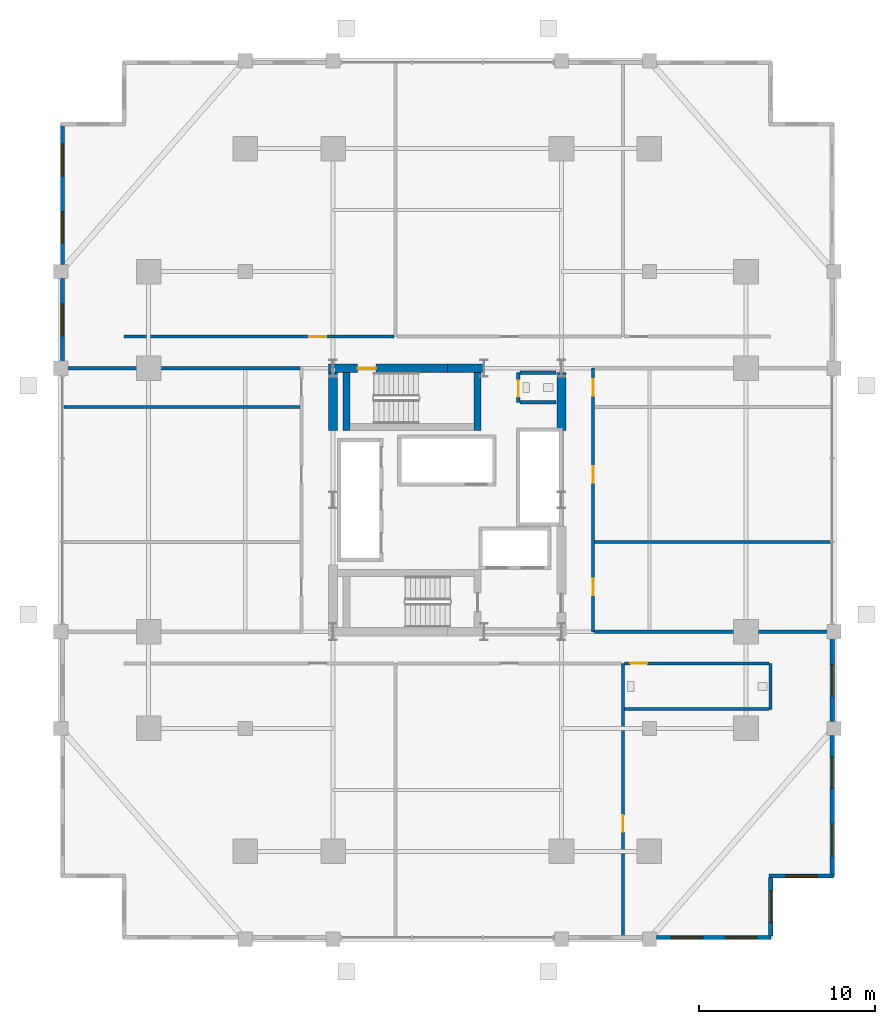
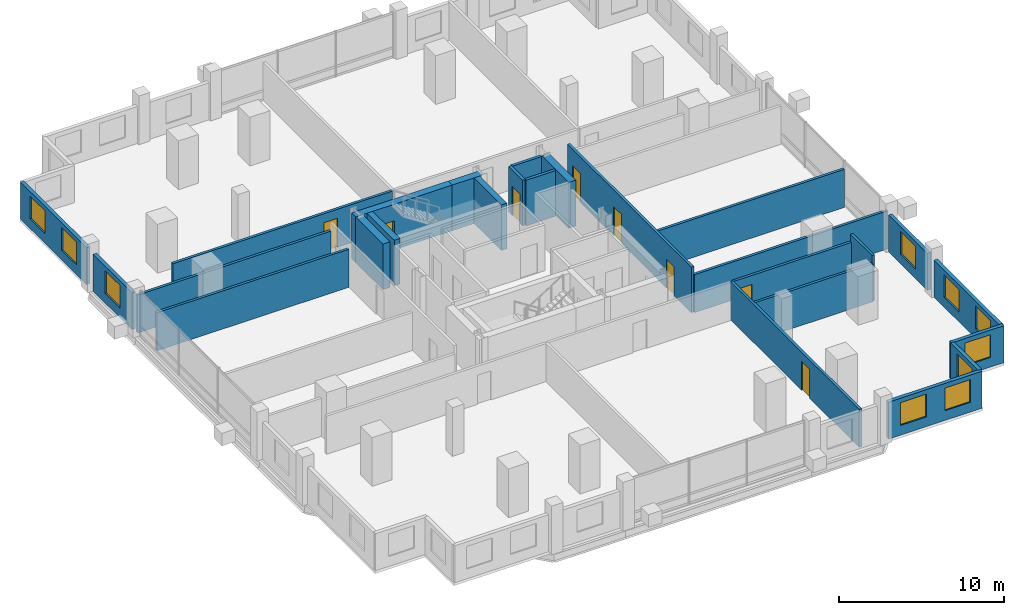
# One storey, part 18 of 21: 26 walls, 10 windows, 8 doors, 18 openings.
"""IFC4 building model written with IfcOpenShell, lengths in metres."""

from ifc_helpers import new_model, si_unit, direction, frame, frame_2d, origin, place, context, subcontext, project, spatial, rectangle, extrude, material, layer, layer_set, type_object, element, fill, save


model = new_model("IFC4")

# Units and contexts
model_context = context("Model", 3, precision=1e-05, world=origin(), true_north=direction((0.0, 1.0)))
body_context = subcontext(model_context, "Body", "Model", "MODEL_VIEW")
ifc_project = project(units=[si_unit("LENGTHUNIT", "METRE"), si_unit("AREAUNIT", "SQUARE_METRE"), si_unit("VOLUMEUNIT", "CUBIC_METRE"), si_unit("PLANEANGLEUNIT", "RADIAN"), si_unit("MASSUNIT", "GRAM", prefix="KILO")], contexts=[model_context])

# Site, building, storey
site_placement = place(None, origin())
site = spatial("IfcSite", under=ifc_project, at=site_placement, CompositionType="ELEMENT")
building_placement = place(site_placement, origin())
building = spatial("IfcBuilding", under=site, at=building_placement, Name="Barlavira Tower and Art Museum", CompositionType="ELEMENT")
storey_placement = place(building_placement, frame((0.0, 0.0, 86.39990234375)))
storey = spatial("IfcBuildingStorey", under=building, at=storey_placement, Name="L21", CompositionType="ELEMENT", Elevation=86.39990234375)

# Wall, opening, door
ifc_material_1 = material(Name="Concrete C60", Category="concrete")
ifc_layer_1 = layer(ifc_material_1, 0.5, Name="Concrete C60")
ifc_layer_set_1 = layer_set([ifc_layer_1], Name="Concrete C60")
wall_type_1 = type_object("IfcWallType", Name="Core Structural Shear Wall 500 Concrete C60", PredefinedType="SHEAR", material=ifc_layer_set_1)
wall_1_placement = place(storey_placement, frame((-6.75, 7.5, 0.0), z_axis=(0.0, 0.0, 1.0), x_axis=(1.0, 0.0, 0.0)))
wall_1 = element("IfcWall", 1, at=wall_1_placement, inside=storey, type_object=wall_type_1, Name="L21 Core Shear Wall CS-NW", PredefinedType="SHEAR", context=body_context, shape_type="SweptSolid", body=[
    extrude(rectangle(XDim=6.75, YDim=0.5, at=frame_2d((3.375, 0.0))), origin(), (0.0, 0.0, 1.0), 3.380126953125),
])
opening_1_placement = place(wall_1_placement, frame((1.64990234375, 0.0, 0.0)))
opening_1 = element("IfcOpeningElement", 2, at=opening_1_placement, cuts=wall_1, Name="Opening FD-90", PredefinedType="OPENING", context=body_context, shape_type="SweptSolid", body=[
    extrude(rectangle(XDim=1.050048828125, YDim=2.14990234375, at=frame_2d((0.52490234375, 1.074951171875))), frame((0.0, 0.260009765625, 0.0), z_axis=(0.0, -1.0, 0.0), x_axis=(1.0, 0.0, 0.0)), (0.0, 0.0, 1.0), 0.52001953125),
])
ifc_material_2 = material(Name="Brushed stainless steel", Category="steel")
door_type_1 = type_object("IfcDoorType", Name="Stair and Refuge Fire Door 1050x2150 FD90S", OperationType="NOTDEFINED", PredefinedType="DOOR", material=ifc_material_2)
door_1_placement = place(opening_1_placement, origin())
door_1 = element("IfcDoor", 3, at=door_1_placement, inside=storey, type_object=door_type_1, Name="L21 Stair ST-T2 Fire Door", OperationType="SINGLE_SWING_LEFT", OverallHeight=2.14990234375, OverallWidth=1.050048828125, PredefinedType="DOOR", context=body_context, shape_type="SweptSolid", body=[
    extrude(rectangle(XDim=1.050048828125, YDim=2.14990234375, at=frame_2d((0.52490234375, 1.074951171875))), frame((0.0, 0.02490234375, 0.0), z_axis=(0.0, -1.0, 0.0), x_axis=(1.0, 0.0, 0.0)), (0.0, 0.0, 1.0), 0.050048828125),
])
fill(opening_1, door_1)

# Walls
wall_2_placement = place(storey_placement, frame((0.0, 7.5, 0.0), z_axis=(0.0, 0.0, 1.0), x_axis=(1.0, 0.0, 0.0)))
element("IfcWall", 4, at=wall_2_placement, inside=storey, type_object=wall_type_1, Name="L21 Core Shear Wall CS-EN", PredefinedType="SHEAR", context=body_context, shape_type="SweptSolid", body=[
    extrude(rectangle(XDim=2.080078125, YDim=0.5, at=frame_2d((1.0400390625, 0.0))), origin(), (0.0, 0.0, 1.0), 3.380126953125),
])
for number, where, z_axis, x_axis, name in (
    (5, (-6.5, 3.949951171875, 0.0), (0.0, 0.0, 1.0), (0.0, 1.0, 0.0), "L21 Core Shear Wall CS-W2"),
    (6, (6.5, 3.949951171875, 0.0), (0.0, 0.0, 1.0), (0.0, 1.0, 0.0), "L21 Core Shear Wall CS-E2"),
):
    element("IfcWall", number, at=place(storey_placement, frame(where, z_axis=z_axis, x_axis=x_axis)), inside=storey, type_object=wall_type_1, Name=name, PredefinedType="SHEAR", context=body_context, shape_type="SweptSolid", body=[
        extrude(rectangle(XDim=3.300048828125, YDim=0.5, at=frame_2d((1.64990234375, 0.0))), origin(), (0.0, 0.0, 1.0), 3.380126953125),
    ])

# Wall, opening, door
ifc_material_3 = material(Name="Autoclaved aerated concrete masonry", Category="masonry")
ifc_layer_2 = layer(ifc_material_3, 0.199951171875, Name="Autoclaved aerated concrete masonry")
ifc_layer_set_2 = layer_set([ifc_layer_2], Name="Autoclaved aerated concrete masonry")
wall_type_2 = type_object("IfcWallType", Name="Fire Compartment and Shaft Wall 200", PredefinedType="SOLIDWALL", material=ifc_layer_set_2)
wall_3_placement = place(storey_placement, frame((4.050048828125, 5.550048828125, 0.0), z_axis=(0.0, 0.0, 1.0), x_axis=(0.0, 1.0, 0.0)))
wall_3 = element("IfcWall", 7, at=wall_3_placement, inside=storey, type_object=wall_type_2, Name="L21 Partition Wall 4", PredefinedType="SOLIDWALL", context=body_context, shape_type="SweptSolid", body=[
    extrude(rectangle(XDim=1.699951171875, YDim=0.199951171875, at=frame_2d((0.85009765625, 0.0))), origin(), (0.0, 0.0, 1.0), 3.380126953125),
])
opening_2_placement = place(wall_3_placement, frame((0.324951171875, 0.0, 0.0)))
opening_2 = element("IfcOpeningElement", 8, at=opening_2_placement, cuts=wall_3, Name="Opening FD-60", PredefinedType="OPENING", context=body_context, shape_type="SweptSolid", body=[
    extrude(rectangle(XDim=0.949951171875, YDim=2.14990234375, at=frame_2d((0.47509765625, 1.074951171875))), frame((0.0, 0.10986328125, 0.0), z_axis=(0.0, -1.0, 0.0), x_axis=(1.0, 0.0, 0.0)), (0.0, 0.0, 1.0), 0.219970703125),
])
door_type_2 = type_object("IfcDoorType", Name="Apartment Entrance and Riser Fire Door 950x2150 FD60S", OperationType="NOTDEFINED", PredefinedType="DOOR", material=ifc_material_2)
door_2_placement = place(opening_2_placement, origin())
door_2 = element("IfcDoor", 9, at=door_2_placement, inside=storey, type_object=door_type_2, Name="Core Accessible Washroom Door", OperationType="SINGLE_SWING_RIGHT", OverallHeight=2.14990234375, OverallWidth=0.949951171875, PredefinedType="DOOR", context=body_context, shape_type="SweptSolid", body=[
    extrude(rectangle(XDim=0.949951171875, YDim=2.14990234375, at=frame_2d((0.47509765625, 1.074951171875))), frame((0.0, 0.02490234375, 0.0), z_axis=(0.0, -1.0, 0.0), x_axis=(1.0, 0.0, 0.0)), (0.0, 0.0, 1.0), 0.050048828125),
])
fill(opening_2, door_2)

# Walls
for number, where, z_axis, x_axis, name in (
    (10, (4.1298828125, 5.550048828125, 0.0), (0.0, 0.0, 1.0), (1.0, 0.0, 0.0), "L21 Partition Wall 19"),
    (11, (4.1298828125, 7.25, 0.0), (0.0, 0.0, 1.0), (1.0, 0.0, 0.0), "L21 Partition Wall 20"),
):
    element("IfcWall", number, at=place(storey_placement, frame(where, z_axis=z_axis, x_axis=x_axis)), inside=storey, type_object=wall_type_2, Name=name, PredefinedType="SOLIDWALL", context=body_context, shape_type="SweptSolid", body=[
        extrude(rectangle(XDim=2.070068359375, YDim=0.199951171875, at=frame_2d((1.03515625, 0.0))), origin(), (0.0, 0.0, 1.0), 3.380126953125),
    ])

# Wall, openings, doors
ifc_material_4 = material(Name="Gypsum acoustic stud partition", Category="gypsum")
ifc_layer_3 = layer(ifc_material_4, 0.179931640625, Name="Gypsum acoustic stud partition")
ifc_layer_set_3 = layer_set([ifc_layer_3], Name="Gypsum acoustic stud partition")
wall_type_3 = type_object("IfcWallType", Name="Inter-Tenancy Party Partition Wall 180", PredefinedType="PARTITIONING", material=ifc_layer_set_3)
wall_4_placement = place(storey_placement, frame((8.300048828125, -7.5, 0.0), z_axis=(0.0, 0.0, 1.0), x_axis=(0.0, 1.0, 0.0)))
wall_4 = element("IfcWall", 12, at=wall_4_placement, inside=storey, type_object=wall_type_3, Name="L21 Partition Wall 5", PredefinedType="PARTITIONING", context=body_context, shape_type="SweptSolid", body=[
    extrude(rectangle(XDim=15.0, YDim=0.179931640625, at=frame_2d((7.5, 0.0))), origin(), (0.0, 0.0, 1.0), 3.380126953125),
])
opening_3_placement = place(wall_4_placement, frame((2.074951171875, 0.0, 0.0)))
opening_3 = element("IfcOpeningElement", 13, at=opening_3_placement, cuts=wall_4, Name="Opening FD-60", PredefinedType="OPENING", context=body_context, shape_type="SweptSolid", body=[
    extrude(rectangle(XDim=0.949951171875, YDim=2.14990234375, at=frame_2d((0.47509765625, 1.074951171875))), frame((0.0, 0.10009765625, 0.0), z_axis=(0.0, -1.0, 0.0), x_axis=(1.0, 0.0, 0.0)), (0.0, 0.0, 1.0), 0.199951171875),
])
opening_4_placement = place(wall_4_placement, frame((8.47509765625, 0.0, 0.0)))
opening_4 = element("IfcOpeningElement", 14, at=opening_4_placement, cuts=wall_4, Name="Opening FD-60", PredefinedType="OPENING", context=body_context, shape_type="SweptSolid", body=[
    extrude(rectangle(XDim=0.949951171875, YDim=2.14990234375, at=frame_2d((0.47509765625, 1.074951171875))), frame((0.0, 0.10009765625, 0.0), z_axis=(0.0, -1.0, 0.0), x_axis=(1.0, 0.0, 0.0)), (0.0, 0.0, 1.0), 0.199951171875),
])
opening_5_placement = place(wall_4_placement, frame((13.425048828125, 0.0, 0.0)))
opening_5 = element("IfcOpeningElement", 15, at=opening_5_placement, cuts=wall_4, Name="Opening FD-60", PredefinedType="OPENING", context=body_context, shape_type="SweptSolid", body=[
    extrude(rectangle(XDim=0.949951171875, YDim=2.14990234375, at=frame_2d((0.47509765625, 1.074951171875))), frame((0.0, 0.10009765625, 0.0), z_axis=(0.0, -1.0, 0.0), x_axis=(1.0, 0.0, 0.0)), (0.0, 0.0, 1.0), 0.199951171875),
])
door_3_placement = place(opening_3_placement, origin())
door_3 = element("IfcDoor", 16, at=door_3_placement, inside=storey, type_object=door_type_2, Name="Resident Sky Coworking Studio Door", OperationType="SINGLE_SWING_LEFT", OverallHeight=2.14990234375, OverallWidth=0.949951171875, PredefinedType="DOOR", context=body_context, shape_type="SweptSolid", body=[
    extrude(rectangle(XDim=0.949951171875, YDim=2.14990234375, at=frame_2d((0.47509765625, 1.074951171875))), frame((0.0, 0.02490234375, 0.0), z_axis=(0.0, -1.0, 0.0), x_axis=(1.0, 0.0, 0.0)), (0.0, 0.0, 1.0), 0.050048828125),
])
fill(opening_3, door_3)
door_4_placement = place(opening_4_placement, origin())
door_4 = element("IfcDoor", 17, at=door_4_placement, inside=storey, type_object=door_type_2, Name="Atlantic Horizon Boardroom Door", OperationType="SINGLE_SWING_RIGHT", OverallHeight=2.14990234375, OverallWidth=0.949951171875, PredefinedType="DOOR", context=body_context, shape_type="SweptSolid", body=[
    extrude(rectangle(XDim=0.949951171875, YDim=2.14990234375, at=frame_2d((0.47509765625, 1.074951171875))), frame((0.0, 0.02490234375, 0.0), z_axis=(0.0, -1.0, 0.0), x_axis=(1.0, 0.0, 0.0)), (0.0, 0.0, 1.0), 0.050048828125),
])
fill(opening_4, door_4)
door_5_placement = place(opening_5_placement, origin())
door_5 = element("IfcDoor", 18, at=door_5_placement, inside=storey, type_object=door_type_2, Name="Shared Coworking Espresso Pantry Door", OperationType="SINGLE_SWING_LEFT", OverallHeight=2.14990234375, OverallWidth=0.949951171875, PredefinedType="DOOR", context=body_context, shape_type="SweptSolid", body=[
    extrude(rectangle(XDim=0.949951171875, YDim=2.14990234375, at=frame_2d((0.47509765625, 1.074951171875))), frame((0.0, 0.02490234375, 0.0), z_axis=(0.0, -1.0, 0.0), x_axis=(1.0, 0.0, 0.0)), (0.0, 0.0, 1.0), 0.050048828125),
])
fill(opening_5, door_5)

# Wall, opening, door
wall_5_placement = place(storey_placement, frame((10.0, -24.89990234375, 0.0), z_axis=(0.0, 0.0, 1.0), x_axis=(0.0, 1.0, 0.0)))
wall_5 = element("IfcWall", 19, at=wall_5_placement, inside=storey, type_object=wall_type_3, Name="L21 Partition Wall 6", PredefinedType="PARTITIONING", context=body_context, shape_type="SweptSolid", body=[
    extrude(rectangle(XDim=15.599853515625, YDim=0.179931640625, at=frame_2d((7.7998046875, 0.0))), origin(), (0.0, 0.0, 1.0), 2.816162109375),
])
opening_6_placement = place(wall_5_placement, frame((6.014892578125, 0.0, 0.0)))
opening_6 = element("IfcOpeningElement", 20, at=opening_6_placement, cuts=wall_5, Name="Opening FD-60", PredefinedType="OPENING", context=body_context, shape_type="SweptSolid", body=[
    extrude(rectangle(XDim=0.949951171875, YDim=2.14990234375, at=frame_2d((0.47509765625, 1.074951171875))), frame((0.0, 0.10009765625, 0.0), z_axis=(0.0, -1.0, 0.0), x_axis=(1.0, 0.0, 0.0)), (0.0, 0.0, 1.0), 0.199951171875),
])
door_6_placement = place(opening_6_placement, origin())
door_6 = element("IfcDoor", 21, at=door_6_placement, inside=storey, type_object=door_type_2, Name="Thermal Relaxation Lounge Door", OperationType="SINGLE_SWING_RIGHT", OverallHeight=2.14990234375, OverallWidth=0.949951171875, PredefinedType="DOOR", context=body_context, shape_type="SweptSolid", body=[
    extrude(rectangle(XDim=0.949951171875, YDim=2.14990234375, at=frame_2d((0.47509765625, 1.074951171875))), frame((0.0, 0.02490234375, 0.0), z_axis=(0.0, -1.0, 0.0), x_axis=(1.0, 0.0, 0.0)), (0.0, 0.0, 1.0), 0.050048828125),
])
fill(opening_6, door_6)

# Walls
wall_6_placement = place(storey_placement, frame((18.39990234375, -11.919921875, 0.0), z_axis=(0.0, 0.0, 1.0), x_axis=(0.0, 1.0, 0.0)))
element("IfcWall", 22, at=wall_6_placement, inside=storey, type_object=wall_type_3, Name="L21 Partition Wall 8", PredefinedType="PARTITIONING", context=body_context, shape_type="SweptSolid", body=[
    extrude(rectangle(XDim=2.619873046875, YDim=0.179931640625, at=frame_2d((1.31005859375, 0.0))), origin(), (0.0, 0.0, 1.0), 3.380126953125),
])
wall_7_placement = place(storey_placement, frame((10.080078125, -11.89990234375, 0.0), z_axis=(0.0, 0.0, 1.0), x_axis=(1.0, 0.0, 0.0)))
element("IfcWall", 23, at=wall_7_placement, inside=storey, type_object=wall_type_3, Name="L21 Partition Wall 9", PredefinedType="PARTITIONING", context=body_context, shape_type="SweptSolid", body=[
    extrude(rectangle(XDim=8.239990234375, YDim=0.179931640625, at=frame_2d((4.1201171875, 0.0))), origin(), (0.0, 0.0, 1.0), 2.816162109375),
])

# Wall, opening, door
wall_8_placement = place(storey_placement, frame((10.080078125, -9.300048828125, 0.0), z_axis=(0.0, 0.0, 1.0), x_axis=(1.0, 0.0, 0.0)))
wall_8 = element("IfcWall", 24, at=wall_8_placement, inside=storey, type_object=wall_type_3, Name="L21 Partition Wall 12", PredefinedType="PARTITIONING", context=body_context, shape_type="SweptSolid", body=[
    extrude(rectangle(XDim=8.239990234375, YDim=0.179931640625, at=frame_2d((4.1201171875, 0.0))), origin(), (0.0, 0.0, 1.0), 2.816162109375),
])
opening_7_placement = place(wall_8_placement, frame((0.344970703125, 0.0, 0.0)))
opening_7 = element("IfcOpeningElement", 25, at=opening_7_placement, cuts=wall_8, Name="Opening FD-60", PredefinedType="OPENING", context=body_context, shape_type="SweptSolid", body=[
    extrude(rectangle(XDim=0.949951171875, YDim=2.14990234375, at=frame_2d((0.47509765625, 1.074951171875))), frame((0.0, 0.10009765625, 0.0), z_axis=(0.0, -1.0, 0.0), x_axis=(1.0, 0.0, 0.0)), (0.0, 0.0, 1.0), 0.199951171875),
])
door_7_placement = place(opening_7_placement, origin())
door_7 = element("IfcDoor", 26, at=door_7_placement, inside=storey, type_object=door_type_2, Name="Wellness Changing and Accessible Shower WC Door", OperationType="SINGLE_SWING_LEFT", OverallHeight=2.14990234375, OverallWidth=0.949951171875, PredefinedType="DOOR", context=body_context, shape_type="SweptSolid", body=[
    extrude(rectangle(XDim=0.949951171875, YDim=2.14990234375, at=frame_2d((0.47509765625, 1.074951171875))), frame((0.0, 0.02490234375, 0.0), z_axis=(0.0, -1.0, 0.0), x_axis=(1.0, 0.0, 0.0)), (0.0, 0.0, 1.0), 0.050048828125),
])
fill(opening_7, door_7)

# Walls
wall_9_placement = place(storey_placement, frame((8.3798828125, -7.5, 0.0), z_axis=(0.0, 0.0, 1.0), x_axis=(1.0, 0.0, 0.0)))
element("IfcWall", 27, at=wall_9_placement, inside=storey, type_object=wall_type_3, Name="L21 Partition Wall 14", PredefinedType="PARTITIONING", context=body_context, shape_type="SweptSolid", body=[
    extrude(rectangle(XDim=13.52001953125, YDim=0.179931640625, at=frame_2d((6.760009765625, 0.0))), origin(), (0.0, 0.0, 1.0), 2.816162109375),
])
for number, where, z_axis, x_axis, name in (
    (28, (8.3798828125, -2.39990234375, 0.0), (0.0, 0.0, 1.0), (1.0, 0.0, 0.0), "L21 Partition Wall 16"),
    (29, (-21.820068359375, 5.300048828125, 0.0), (0.0, 0.0, 1.0), (1.0, 0.0, 0.0), "L21 Partition Wall 17"),
):
    element("IfcWall", number, at=place(storey_placement, frame(where, z_axis=z_axis, x_axis=x_axis)), inside=storey, type_object=wall_type_3, Name=name, PredefinedType="PARTITIONING", context=body_context, shape_type="SweptSolid", body=[
        extrude(rectangle(XDim=13.440185546875, YDim=0.179931640625, at=frame_2d((6.72021484375, 0.0))), origin(), (0.0, 0.0, 1.0), 2.816162109375),
    ])
wall_10_placement = place(storey_placement, frame((-21.89990234375, 7.5, 0.0), z_axis=(0.0, 0.0, 1.0), x_axis=(1.0, 0.0, 0.0)))
element("IfcWall", 30, at=wall_10_placement, inside=storey, type_object=wall_type_3, Name="L21 Partition Wall 21", PredefinedType="PARTITIONING", context=body_context, shape_type="SweptSolid", body=[
    extrude(rectangle(XDim=13.52001953125, YDim=0.179931640625, at=frame_2d((6.760009765625, 0.0))), origin(), (0.0, 0.0, 1.0), 2.816162109375),
])

# Wall, opening, door
wall_11_placement = place(storey_placement, frame((-18.39990234375, 9.300048828125, 0.0), z_axis=(0.0, 0.0, 1.0), x_axis=(1.0, 0.0, 0.0)))
wall_11 = element("IfcWall", 31, at=wall_11_placement, inside=storey, type_object=wall_type_3, Name="L21 Partition Wall 23", PredefinedType="PARTITIONING", context=body_context, shape_type="SweptSolid", body=[
    extrude(rectangle(XDim=15.369873046875, YDim=0.179931640625, at=frame_2d((7.68505859375, 0.0))), origin(), (0.0, 0.0, 1.0), 2.816162109375),
])
opening_8_placement = place(wall_11_placement, frame((10.554931640625, 0.0, 0.0)))
opening_8 = element("IfcOpeningElement", 32, at=opening_8_placement, cuts=wall_11, Name="Opening FD-60", PredefinedType="OPENING", context=body_context, shape_type="SweptSolid", body=[
    extrude(rectangle(XDim=0.949951171875, YDim=2.14990234375, at=frame_2d((0.47509765625, 1.074951171875))), frame((0.0, 0.10009765625, 0.0), z_axis=(0.0, -1.0, 0.0), x_axis=(1.0, 0.0, 0.0)), (0.0, 0.0, 1.0), 0.199951171875),
])
door_8_placement = place(opening_8_placement, origin())
door_8 = element("IfcDoor", 33, at=door_8_placement, inside=storey, type_object=door_type_2, Name="Resident Rare-Book Reading Room Door", OperationType="SINGLE_SWING_LEFT", OverallHeight=2.14990234375, OverallWidth=0.949951171875, PredefinedType="DOOR", context=body_context, shape_type="SweptSolid", body=[
    extrude(rectangle(XDim=0.949951171875, YDim=2.14990234375, at=frame_2d((0.47509765625, 1.074951171875))), frame((0.0, 0.02490234375, 0.0), z_axis=(0.0, -1.0, 0.0), x_axis=(1.0, 0.0, 0.0)), (0.0, 0.0, 1.0), 0.050048828125),
])
fill(opening_8, door_8)

# Wall, openings, windows
ifc_material_5 = material(Name="Precast concrete C40", Category="concrete")
ifc_layer_4 = layer(ifc_material_5, 0.25, Name="Precast concrete C40")
ifc_layer_set_4 = layer_set([ifc_layer_4], Name="Precast concrete C40")
wall_type_4 = type_object("IfcWallType", Name="Notched Corner Spandrel Wall 250 Precast Concrete C40", PredefinedType="SOLIDWALL", material=ifc_layer_set_4)
wall_12_placement = place(storey_placement, frame((11.89501953125, -24.89990234375, 0.0), z_axis=(0.0, 0.0, 1.0), x_axis=(1.0, 0.0, 0.0)))
wall_12 = element("IfcWall", 34, at=wall_12_placement, inside=storey, type_object=wall_type_4, Name="L21 Coastal Facade Pier Wall CW1-L21-S-5", PredefinedType="SOLIDWALL", context=body_context, shape_type="SweptSolid", body=[
    extrude(rectangle(XDim=6.530029296875, YDim=0.25, at=frame_2d((3.26513671875, 0.0))), origin(), (0.0, 0.0, 1.0), 2.736083984375),
])
opening_9_placement = place(wall_12_placement, frame((0.845947265625, 0.0, 0.719970703125)))
opening_9 = element("IfcOpeningElement", 35, at=opening_9_placement, cuts=wall_12, Name="Opening WN-01", PredefinedType="OPENING", context=body_context, shape_type="SweptSolid", body=[
    extrude(rectangle(XDim=1.800048828125, YDim=1.679931640625, at=frame_2d((0.89990234375, 0.83984375))), frame((0.0, 0.135009765625, 0.0), z_axis=(0.0, -1.0, 0.0), x_axis=(1.0, 0.0, 0.0)), (0.0, 0.0, 1.0), 0.27001953125),
])
opening_10_placement = place(wall_12_placement, frame((3.928955078125, 0.0, 0.719970703125)))
opening_10 = element("IfcOpeningElement", 36, at=opening_10_placement, cuts=wall_12, Name="Opening WN-01", PredefinedType="OPENING", context=body_context, shape_type="SweptSolid", body=[
    extrude(rectangle(XDim=1.800048828125, YDim=1.679931640625, at=frame_2d((0.89990234375, 0.83984375))), frame((0.0, 0.135009765625, 0.0), z_axis=(0.0, -1.0, 0.0), x_axis=(1.0, 0.0, 0.0)), (0.0, 0.0, 1.0), 0.27001953125),
])
ifc_material_6 = material(Name="Low-iron coastal laminated glass", Category="glass")
window_type = type_object("IfcWindowType", Name="Recessed Notch Corner Punch Window 1800x1680", PartitioningType="SINGLE_PANEL", PredefinedType="WINDOW", material=ifc_material_6)
window_1_placement = place(opening_9_placement, origin())
window_1 = element("IfcWindow", 37, at=window_1_placement, inside=storey, type_object=window_type, Name="L21 Punched Facade Window EWP-CW1-L21-S-5-1", OverallHeight=1.679931640625, OverallWidth=1.800048828125, PartitioningType="SINGLE_PANEL", PredefinedType="WINDOW", context=body_context, shape_type="SweptSolid", body=[
    extrude(rectangle(XDim=1.800048828125, YDim=1.679931640625, at=frame_2d((0.89990234375, 0.83984375))), frame((0.0, 0.030029296875, 0.0), z_axis=(0.0, -1.0, 0.0), x_axis=(1.0, 0.0, 0.0)), (0.0, 0.0, 1.0), 0.06005859375),
])
fill(opening_9, window_1)
window_2_placement = place(opening_10_placement, origin())
window_2 = element("IfcWindow", 38, at=window_2_placement, inside=storey, type_object=window_type, Name="L21 Punched Facade Window EWP-CW1-L21-S-5-2", OverallHeight=1.679931640625, OverallWidth=1.800048828125, PartitioningType="SINGLE_PANEL", PredefinedType="WINDOW", context=body_context, shape_type="SweptSolid", body=[
    extrude(rectangle(XDim=1.800048828125, YDim=1.679931640625, at=frame_2d((0.89990234375, 0.83984375))), frame((0.0, 0.030029296875, 0.0), z_axis=(0.0, -1.0, 0.0), x_axis=(1.0, 0.0, 0.0)), (0.0, 0.0, 1.0), 0.06005859375),
])
fill(opening_10, window_2)

wall_13_placement = place(storey_placement, frame((-21.89990234375, 21.425048828125, 0.0), z_axis=(0.0, 0.0, 1.0), x_axis=(0.0, -1.0, 0.0)))
wall_13 = element("IfcWall", 39, at=wall_13_placement, inside=storey, type_object=wall_type_4, Name="L21 Coastal Facade Pier Wall CW1-L21-W-1", PredefinedType="SOLIDWALL", context=body_context, shape_type="SweptSolid", body=[
    extrude(rectangle(XDim=8.030029296875, YDim=0.25, at=frame_2d((4.01513671875, 0.0))), origin(), (0.0, 0.0, 1.0), 2.736083984375),
])
opening_11_placement = place(wall_13_placement, frame((1.176025390625, 0.0, 0.719970703125)))
opening_11 = element("IfcOpeningElement", 40, at=opening_11_placement, cuts=wall_13, Name="Opening WN-01", PredefinedType="OPENING", context=body_context, shape_type="SweptSolid", body=[
    extrude(rectangle(XDim=1.800048828125, YDim=1.679931640625, at=frame_2d((0.89990234375, 0.83984375))), frame((0.0, 0.135009765625, 0.0), z_axis=(0.0, -1.0, 0.0), x_axis=(1.0, 0.0, 0.0)), (0.0, 0.0, 1.0), 0.27001953125),
])
opening_12_placement = place(wall_13_placement, frame((5.009033203125, 0.0, 0.719970703125)))
opening_12 = element("IfcOpeningElement", 41, at=opening_12_placement, cuts=wall_13, Name="Opening WN-01", PredefinedType="OPENING", context=body_context, shape_type="SweptSolid", body=[
    extrude(rectangle(XDim=1.800048828125, YDim=1.679931640625, at=frame_2d((0.89990234375, 0.83984375))), frame((0.0, 0.135009765625, 0.0), z_axis=(0.0, -1.0, 0.0), x_axis=(1.0, 0.0, 0.0)), (0.0, 0.0, 1.0), 0.27001953125),
])
window_3_placement = place(opening_11_placement, origin())
window_3 = element("IfcWindow", 42, at=window_3_placement, inside=storey, type_object=window_type, Name="L21 Punched Facade Window EWP-CW1-L21-W-1-1", OverallHeight=1.679931640625, OverallWidth=1.800048828125, PartitioningType="SINGLE_PANEL", PredefinedType="WINDOW", context=body_context, shape_type="SweptSolid", body=[
    extrude(rectangle(XDim=1.800048828125, YDim=1.679931640625, at=frame_2d((0.89990234375, 0.83984375))), frame((0.0, 0.030029296875, 0.0), z_axis=(0.0, -1.0, 0.0), x_axis=(1.0, 0.0, 0.0)), (0.0, 0.0, 1.0), 0.06005859375),
])
fill(opening_11, window_3)
window_4_placement = place(opening_12_placement, origin())
window_4 = element("IfcWindow", 43, at=window_4_placement, inside=storey, type_object=window_type, Name="L21 Punched Facade Window EWP-CW1-L21-W-1-2", OverallHeight=1.679931640625, OverallWidth=1.800048828125, PartitioningType="SINGLE_PANEL", PredefinedType="WINDOW", context=body_context, shape_type="SweptSolid", body=[
    extrude(rectangle(XDim=1.800048828125, YDim=1.679931640625, at=frame_2d((0.89990234375, 0.83984375))), frame((0.0, 0.030029296875, 0.0), z_axis=(0.0, -1.0, 0.0), x_axis=(1.0, 0.0, 0.0)), (0.0, 0.0, 1.0), 0.06005859375),
])
fill(opening_12, window_4)

# Wall, opening, window
wall_14_placement = place(storey_placement, frame((-21.89990234375, 12.60498046875, 0.0), z_axis=(0.0, 0.0, 1.0), x_axis=(0.0, -1.0, 0.0)))
wall_14 = element("IfcWall", 44, at=wall_14_placement, inside=storey, type_object=wall_type_4, Name="L21 Coastal Facade Pier Wall CW1-L21-W-2", PredefinedType="SOLIDWALL", context=body_context, shape_type="SweptSolid", body=[
    extrude(rectangle(XDim=4.7099609375, YDim=0.25, at=frame_2d((2.35498046875, 0.0))), origin(), (0.0, 0.0, 1.0), 2.736083984375),
])
opening_13_placement = place(wall_14_placement, frame((1.455078125, 0.0, 0.719970703125)))
opening_13 = element("IfcOpeningElement", 45, at=opening_13_placement, cuts=wall_14, Name="Opening WN-01", PredefinedType="OPENING", context=body_context, shape_type="SweptSolid", body=[
    extrude(rectangle(XDim=1.800048828125, YDim=1.679931640625, at=frame_2d((0.89990234375, 0.83984375))), frame((0.0, 0.135009765625, 0.0), z_axis=(0.0, -1.0, 0.0), x_axis=(1.0, 0.0, 0.0)), (0.0, 0.0, 1.0), 0.27001953125),
])
window_5_placement = place(opening_13_placement, origin())
window_5 = element("IfcWindow", 46, at=window_5_placement, inside=storey, type_object=window_type, Name="L21 Punched Facade Window EWP-CW1-L21-W-2-1", OverallHeight=1.679931640625, OverallWidth=1.800048828125, PartitioningType="SINGLE_PANEL", PredefinedType="WINDOW", context=body_context, shape_type="SweptSolid", body=[
    extrude(rectangle(XDim=1.800048828125, YDim=1.679931640625, at=frame_2d((0.89990234375, 0.83984375))), frame((0.0, 0.030029296875, 0.0), z_axis=(0.0, -1.0, 0.0), x_axis=(1.0, 0.0, 0.0)), (0.0, 0.0, 1.0), 0.06005859375),
])
fill(opening_13, window_5)

# Wall, openings, windows
wall_15_placement = place(storey_placement, frame((21.89990234375, -21.425048828125, 0.0), z_axis=(0.0, 0.0, 1.0), x_axis=(0.0, 1.0, 0.0)))
wall_15 = element("IfcWall", 47, at=wall_15_placement, inside=storey, type_object=wall_type_4, Name="L21 Coastal Facade Pier Wall CW1-L21-E-1", PredefinedType="SOLIDWALL", context=body_context, shape_type="SweptSolid", body=[
    extrude(rectangle(XDim=8.030029296875, YDim=0.25, at=frame_2d((4.01513671875, 0.0))), origin(), (0.0, 0.0, 1.0), 2.736083984375),
])
opening_14_placement = place(wall_15_placement, frame((1.176025390625, 0.0, 0.719970703125)))
opening_14 = element("IfcOpeningElement", 48, at=opening_14_placement, cuts=wall_15, Name="Opening WN-01", PredefinedType="OPENING", context=body_context, shape_type="SweptSolid", body=[
    extrude(rectangle(XDim=1.800048828125, YDim=1.679931640625, at=frame_2d((0.89990234375, 0.83984375))), frame((0.0, 0.135009765625, 0.0), z_axis=(0.0, -1.0, 0.0), x_axis=(1.0, 0.0, 0.0)), (0.0, 0.0, 1.0), 0.27001953125),
])
opening_15_placement = place(wall_15_placement, frame((5.009033203125, 0.0, 0.719970703125)))
opening_15 = element("IfcOpeningElement", 49, at=opening_15_placement, cuts=wall_15, Name="Opening WN-01", PredefinedType="OPENING", context=body_context, shape_type="SweptSolid", body=[
    extrude(rectangle(XDim=1.800048828125, YDim=1.679931640625, at=frame_2d((0.89990234375, 0.83984375))), frame((0.0, 0.135009765625, 0.0), z_axis=(0.0, -1.0, 0.0), x_axis=(1.0, 0.0, 0.0)), (0.0, 0.0, 1.0), 0.27001953125),
])
window_6_placement = place(opening_14_placement, origin())
window_6 = element("IfcWindow", 50, at=window_6_placement, inside=storey, type_object=window_type, Name="L21 Punched Facade Window EWP-CW1-L21-E-1-1", OverallHeight=1.679931640625, OverallWidth=1.800048828125, PartitioningType="SINGLE_PANEL", PredefinedType="WINDOW", context=body_context, shape_type="SweptSolid", body=[
    extrude(rectangle(XDim=1.800048828125, YDim=1.679931640625, at=frame_2d((0.89990234375, 0.83984375))), frame((0.0, 0.030029296875, 0.0), z_axis=(0.0, -1.0, 0.0), x_axis=(1.0, 0.0, 0.0)), (0.0, 0.0, 1.0), 0.06005859375),
])
fill(opening_14, window_6)
window_7_placement = place(opening_15_placement, origin())
window_7 = element("IfcWindow", 51, at=window_7_placement, inside=storey, type_object=window_type, Name="L21 Punched Facade Window EWP-CW1-L21-E-1-2", OverallHeight=1.679931640625, OverallWidth=1.800048828125, PartitioningType="SINGLE_PANEL", PredefinedType="WINDOW", context=body_context, shape_type="SweptSolid", body=[
    extrude(rectangle(XDim=1.800048828125, YDim=1.679931640625, at=frame_2d((0.89990234375, 0.83984375))), frame((0.0, 0.030029296875, 0.0), z_axis=(0.0, -1.0, 0.0), x_axis=(1.0, 0.0, 0.0)), (0.0, 0.0, 1.0), 0.06005859375),
])
fill(opening_15, window_7)

# Wall, opening, window
wall_16_placement = place(storey_placement, frame((21.89990234375, -12.60498046875, 0.0), z_axis=(0.0, 0.0, 1.0), x_axis=(0.0, 1.0, 0.0)))
wall_16 = element("IfcWall", 52, at=wall_16_placement, inside=storey, type_object=wall_type_4, Name="L21 Coastal Facade Pier Wall CW1-L21-E-2", PredefinedType="SOLIDWALL", context=body_context, shape_type="SweptSolid", body=[
    extrude(rectangle(XDim=4.7099609375, YDim=0.25, at=frame_2d((2.35498046875, 0.0))), origin(), (0.0, 0.0, 1.0), 2.736083984375),
])
opening_16_placement = place(wall_16_placement, frame((1.455078125, 0.0, 0.719970703125)))
opening_16 = element("IfcOpeningElement", 53, at=opening_16_placement, cuts=wall_16, Name="Opening WN-01", PredefinedType="OPENING", context=body_context, shape_type="SweptSolid", body=[
    extrude(rectangle(XDim=1.800048828125, YDim=1.679931640625, at=frame_2d((0.89990234375, 0.83984375))), frame((0.0, 0.135009765625, 0.0), z_axis=(0.0, -1.0, 0.0), x_axis=(1.0, 0.0, 0.0)), (0.0, 0.0, 1.0), 0.27001953125),
])
window_8_placement = place(opening_16_placement, origin())
window_8 = element("IfcWindow", 54, at=window_8_placement, inside=storey, type_object=window_type, Name="L21 Punched Facade Window EWP-CW1-L21-E-2-1", OverallHeight=1.679931640625, OverallWidth=1.800048828125, PartitioningType="SINGLE_PANEL", PredefinedType="WINDOW", context=body_context, shape_type="SweptSolid", body=[
    extrude(rectangle(XDim=1.800048828125, YDim=1.679931640625, at=frame_2d((0.89990234375, 0.83984375))), frame((0.0, 0.030029296875, 0.0), z_axis=(0.0, -1.0, 0.0), x_axis=(1.0, 0.0, 0.0)), (0.0, 0.0, 1.0), 0.06005859375),
])
fill(opening_16, window_8)

wall_17_placement = place(storey_placement, frame((18.39990234375, -24.820068359375, 0.0), z_axis=(0.0, 0.0, 1.0), x_axis=(0.0, 1.0, 0.0)))
wall_17 = element("IfcWall", 55, at=wall_17_placement, inside=storey, type_object=wall_type_4, Name="L21 Notch Corner Wall SE1", PredefinedType="SOLIDWALL", context=body_context, shape_type="SweptSolid", body=[
    extrude(rectangle(XDim=3.340087890625, YDim=0.25, at=frame_2d((1.669921875, 0.0))), origin(), (0.0, 0.0, 1.0), 2.736083984375),
])
opening_17_placement = place(wall_17_placement, frame((0.77001953125, 0.0, 0.719970703125)))
opening_17 = element("IfcOpeningElement", 56, at=opening_17_placement, cuts=wall_17, Name="Opening WN-01", PredefinedType="OPENING", context=body_context, shape_type="SweptSolid", body=[
    extrude(rectangle(XDim=1.800048828125, YDim=1.679931640625, at=frame_2d((0.89990234375, 0.83984375))), frame((0.0, 0.135009765625, 0.0), z_axis=(0.0, -1.0, 0.0), x_axis=(1.0, 0.0, 0.0)), (0.0, 0.0, 1.0), 0.27001953125),
])
window_9_placement = place(opening_17_placement, origin())
window_9 = element("IfcWindow", 57, at=window_9_placement, inside=storey, type_object=window_type, Name="L21 Punched Facade Window EW-NTC-L21-SE1-1", OverallHeight=1.679931640625, OverallWidth=1.800048828125, PartitioningType="SINGLE_PANEL", PredefinedType="WINDOW", context=body_context, shape_type="SweptSolid", body=[
    extrude(rectangle(XDim=1.800048828125, YDim=1.679931640625, at=frame_2d((0.89990234375, 0.83984375))), frame((0.0, 0.030029296875, 0.0), z_axis=(0.0, -1.0, 0.0), x_axis=(1.0, 0.0, 0.0)), (0.0, 0.0, 1.0), 0.06005859375),
])
fill(opening_17, window_9)

wall_18_placement = place(storey_placement, frame((18.320068359375, -21.39990234375, 0.0), z_axis=(0.0, 0.0, 1.0), x_axis=(1.0, 0.0, 0.0)))
wall_18 = element("IfcWall", 58, at=wall_18_placement, inside=storey, type_object=wall_type_4, Name="L21 Notch Corner Wall SE2", PredefinedType="SOLIDWALL", context=body_context, shape_type="SweptSolid", body=[
    extrude(rectangle(XDim=3.659912109375, YDim=0.25, at=frame_2d((1.830078125, 0.0))), origin(), (0.0, 0.0, 1.0), 2.736083984375),
])
opening_18_placement = place(wall_18_placement, frame((0.929931640625, 0.0, 0.719970703125)))
opening_18 = element("IfcOpeningElement", 59, at=opening_18_placement, cuts=wall_18, Name="Opening WN-01", PredefinedType="OPENING", context=body_context, shape_type="SweptSolid", body=[
    extrude(rectangle(XDim=1.800048828125, YDim=1.679931640625, at=frame_2d((0.89990234375, 0.83984375))), frame((0.0, 0.135009765625, 0.0), z_axis=(0.0, -1.0, 0.0), x_axis=(1.0, 0.0, 0.0)), (0.0, 0.0, 1.0), 0.27001953125),
])
window_10_placement = place(opening_18_placement, origin())
window_10 = element("IfcWindow", 60, at=window_10_placement, inside=storey, type_object=window_type, Name="L21 Punched Facade Window EW-NTC-L21-SE2-1", OverallHeight=1.679931640625, OverallWidth=1.800048828125, PartitioningType="SINGLE_PANEL", PredefinedType="WINDOW", context=body_context, shape_type="SweptSolid", body=[
    extrude(rectangle(XDim=1.800048828125, YDim=1.679931640625, at=frame_2d((0.89990234375, 0.83984375))), frame((0.0, 0.030029296875, 0.0), z_axis=(0.0, -1.0, 0.0), x_axis=(1.0, 0.0, 0.0)), (0.0, 0.0, 1.0), 0.06005859375),
])
fill(opening_18, window_10)

# Walls
ifc_material_7 = material(Name="Concrete C55", Category="concrete")
ifc_layer_5 = layer(ifc_material_7, 0.39990234375, Name="Concrete C55")
ifc_layer_set_5 = layer_set([ifc_layer_5], Name="Concrete C55")
wall_type_5 = type_object("IfcWallType", Name="Upper Core Shear Wall 400 Concrete C55", PredefinedType="SHEAR", material=ifc_layer_set_5)
for number, where, z_axis, x_axis, name in (
    (61, (1.72998046875, 3.949951171875, 0.0), (0.0, 0.0, 1.0), (0.0, 1.0, 0.0), "L21 ST-T2 East Half-Landing Wall"),
    (62, (-5.75, 3.949951171875, 0.0), (0.0, 0.0, 1.0), (0.0, 1.0, 0.0), "L21 ST-T2 West Shaft Wall"),
):
    element("IfcWall", number, at=place(storey_placement, frame(where, z_axis=z_axis, x_axis=x_axis)), inside=storey, type_object=wall_type_5, Name=name, PredefinedType="SHEAR", context=body_context, shape_type="SweptSolid", body=[
        extrude(rectangle(XDim=3.300048828125, YDim=0.39990234375, at=frame_2d((1.64990234375, 0.0))), origin(), (0.0, 0.0, 1.0), 3.380126953125),
    ])

save(model, "model.ifc")
